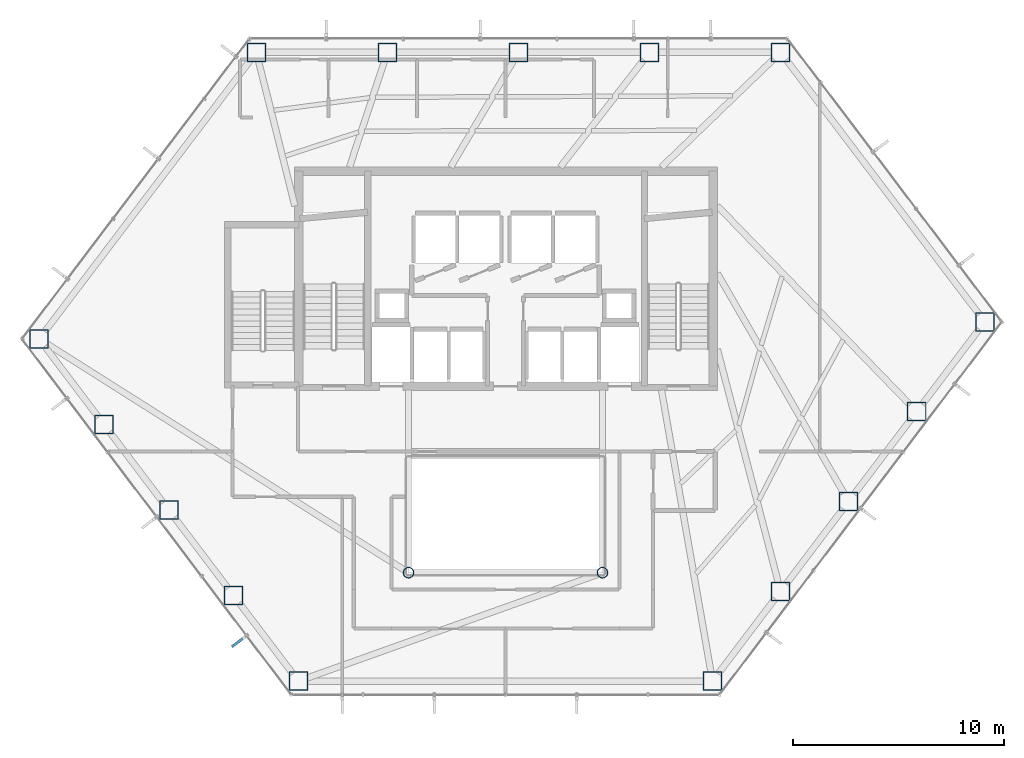
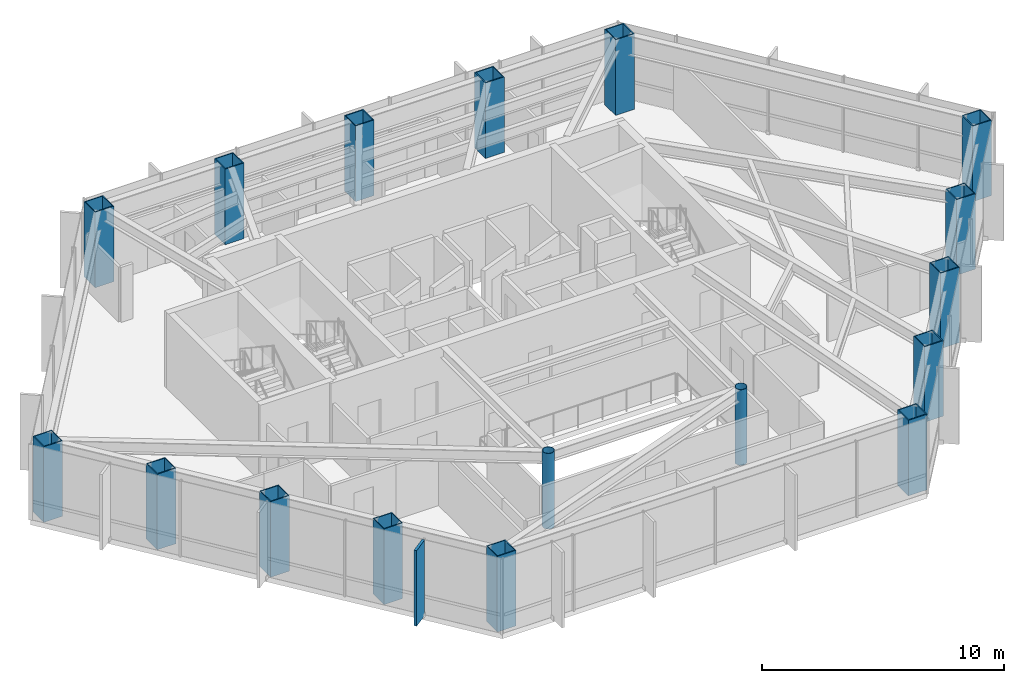
# One storey, part 1 of 24: 17 columns, 1 member, 1 element without a shape of its own.
"""IFC4 building model written with IfcOpenShell, lengths in metres."""

from ifc_helpers import new_model, si_unit, direction, frame, origin, origin_2d, place, context, subcontext, project, spatial, rectangle, hollow_rectangle, hollow_circle, extrude, material, layer, layer_set, material_profile, profile_set, type_object, element, aggregate, save


model = new_model("IFC4")

# Units and contexts
model_context = context("Model", 3, precision=1e-05, world=origin(), true_north=direction((0.0, 1.0)))
body_context = subcontext(model_context, "Body", "Model", "MODEL_VIEW")
ifc_project = project(units=[si_unit("LENGTHUNIT", "METRE"), si_unit("AREAUNIT", "SQUARE_METRE"), si_unit("VOLUMEUNIT", "CUBIC_METRE"), si_unit("PLANEANGLEUNIT", "RADIAN"), si_unit("MASSUNIT", "GRAM", prefix="KILO")], contexts=[model_context])

# Site, building, storey
site_placement = place(None, origin())
site = spatial("IfcSite", under=ifc_project, at=site_placement, CompositionType="ELEMENT")
building_placement = place(site_placement, origin())
building = spatial("IfcBuilding", under=site, at=building_placement, Name="Zarrinselat Tower", CompositionType="ELEMENT")
storey_placement = place(building_placement, frame((0.0, 0.0, 76.5)))
storey = spatial("IfcBuildingStorey", under=building, at=storey_placement, Name="L18", CompositionType="ELEMENT", Elevation=76.5)

# Columns
ifc_material_1 = material(Name="Steel S355J2", Category="steel")
ifc_material_profile_1 = material_profile(ifc_material_1, hollow_circle(Radius=0.25390625, WallThickness=0.02001953125, at=origin_2d()), Name="CHS 508x20")
ifc_profile_set_1 = profile_set([ifc_material_profile_1], Name="Steel S355J2")
column_type_1 = type_object("IfcColumnType", Name="COL-CHS508", PredefinedType="COLUMN", material=ifc_profile_set_1)
for number, where, z_axis, x_axis, name in (
    (1, (33.800048828125, 24.39990234375, 0.0), (0.0, 0.0, 1.0), (1.0, 0.0, 0.0), "L18 Atrium Corner Column 1"),
    (2, (43.0, 24.39990234375, 0.0), (0.0, 0.0, 1.0), (1.0, 0.0, 0.0), "L18 Atrium Corner Column 2"),
):
    element("IfcColumn", number, at=place(storey_placement, frame(where, z_axis=z_axis, x_axis=x_axis)), inside=storey, type_object=column_type_1, Name=name, PredefinedType="COLUMN", context=body_context, shape_type="SweptSolid", body=[
        extrude(hollow_circle(Radius=0.25390625, WallThickness=0.02001953125, at=origin_2d()), origin(), (0.0, 0.0, 1.0), 3.820068359375),
    ])
ifc_material_2 = material(Name="Steel S460M", Category="steel")
ifc_material_profile_2 = material_profile(ifc_material_2, hollow_rectangle(XDim=0.89990234375, YDim=0.89990234375, WallThickness=0.044921875, at=origin_2d()), Name="SHS 900x900x45")
ifc_profile_set_2 = profile_set([ifc_material_profile_2], Name="Steel S460M")
column_type_2 = type_object("IfcColumnType", Name="COL-SHS900", PredefinedType="COLUMN", material=ifc_profile_set_2)
for number, where, z_axis, x_axis, name in (
    (3, (51.453125, 49.083251953125, 0.0), (0.0, 0.0, 1.0), (1.0, 0.0, 0.0), "L18 Framed-Tube Column T01"),
    (4, (45.235107421875, 49.083251953125, 0.0), (0.0, 0.0, 1.0), (1.0, 0.0, 0.0), "L18 Framed-Tube Column T02"),
    (5, (39.01708984375, 49.083251953125, 0.0), (0.0, 0.0, 1.0), (1.0, 0.0, 0.0), "L18 Framed-Tube Column T03"),
    (6, (32.79931640625, 49.083251953125, 0.0), (0.0, 0.0, 1.0), (1.0, 0.0, 0.0), "L18 Framed-Tube Column T04"),
    (7, (26.581298828125, 49.083251953125, 0.0), (0.0, 0.0, 1.0), (1.0, 0.0, 0.0), "L18 Framed-Tube Column T05"),
    (8, (16.281005859375, 35.48681640625, 0.0), (0.0, 0.0, 1.0), (1.0, 0.0, 0.0), "L18 Framed-Tube Column T06"),
    (9, (19.355224609375, 31.428955078125, 0.0), (0.0, 0.0, 1.0), (1.0, 0.0, 0.0), "L18 Framed-Tube Column T07"),
    (10, (22.429443359375, 27.370849609375, 0.0), (0.0, 0.0, 1.0), (1.0, 0.0, 0.0), "L18 Framed-Tube Column T08"),
    (11, (25.503662109375, 23.31298828125, 0.0), (0.0, 0.0, 1.0), (1.0, 0.0, 0.0), "L18 Framed-Tube Column T09"),
    (12, (28.577880859375, 19.2548828125, 0.0), (0.0, 0.0, 1.0), (1.0, 0.0, 0.0), "L18 Framed-Tube Column T10"),
    (13, (48.22216796875, 19.2548828125, 0.0), (0.0, 0.0, 1.0), (1.0, 0.0, 0.0), "L18 Framed-Tube Column T11"),
    (14, (51.45068359375, 23.5166015625, 0.0), (0.0, 0.0, 1.0), (1.0, 0.0, 0.0), "L18 Framed-Tube Column T12"),
    (15, (54.67919921875, 27.7783203125, 0.0), (0.0, 0.0, 1.0), (1.0, 0.0, 0.0), "L18 Framed-Tube Column T13"),
    (16, (57.90771484375, 32.039794921875, 0.0), (0.0, 0.0, 1.0), (1.0, 0.0, 0.0), "L18 Framed-Tube Column T14"),
    (17, (61.13623046875, 36.301513671875, 0.0), (0.0, 0.0, 1.0), (1.0, 0.0, 0.0), "L18 Framed-Tube Column T15"),
):
    element("IfcColumn", number, at=place(storey_placement, frame(where, z_axis=z_axis, x_axis=x_axis)), inside=storey, type_object=column_type_2, Name=name, PredefinedType="COLUMN", context=body_context, shape_type="SweptSolid", body=[
        extrude(hollow_rectangle(XDim=0.89990234375, YDim=0.89990234375, WallThickness=0.044921875, at=origin_2d()), origin(), (0.0, 0.0, 1.0), 3.820068359375),
    ])

# Curtain wall, member
ifc_material_3 = material(Name="Extruded Aluminium Alloy EN AW-6063 T6", Category="aluminium")
ifc_layer = layer(ifc_material_3, 0.18505859375)
ifc_layer_set = layer_set([ifc_layer], Name="Extruded Aluminium Alloy EN AW-6063 T6")
curtain_wall_type = type_object("IfcCurtainWallType", Name="CWS-OFF", PredefinedType="NOTDEFINED", material=ifc_layer_set)
curtain_wall_placement = place(storey_placement, origin())
curtain_wall = element("IfcCurtainWall", 18, at=curtain_wall_placement, inside=storey, type_object=curtain_wall_type, Name="L18 Unitised Curtain Wall CW-L18-E03", PredefinedType="NOTDEFINED")
ifc_material_4 = material(Name="Honed Cream Travertine Stone", Category="masonry")
ifc_material_profile_3 = material_profile(ifc_material_4, rectangle(XDim=0.1201171875, YDim=0.85009765625, at=origin_2d()), Name="FIN 850x120")
ifc_profile_set_3 = profile_set([ifc_material_profile_3], Name="Honed Cream Travertine Stone")
member_type = type_object("IfcMemberType", Name="MEM-STONE-FIN", PredefinedType="USERDEFINED", material=ifc_profile_set_3)
member_placement = place(storey_placement, frame((25.756591796875, 21.140869140625, 0.0), z_axis=(0.0, 0.0, 1.0), x_axis=(-0.603854869931, 0.797094283044, 0.0)))
member = element("IfcMember", 19, at=member_placement, type_object=member_type, Name="L18 Stone Shading Fin CW-L18-E03-05", ObjectType="FIN", PredefinedType="USERDEFINED", context=body_context, shape_type="SweptSolid", body=[
    extrude(rectangle(XDim=0.1201171875, YDim=0.85009765625, at=origin_2d()), origin(), (0.0, 0.0, 1.0), 3.820068359375),
])
aggregate(curtain_wall, [member])

save(model, "model.ifc")
